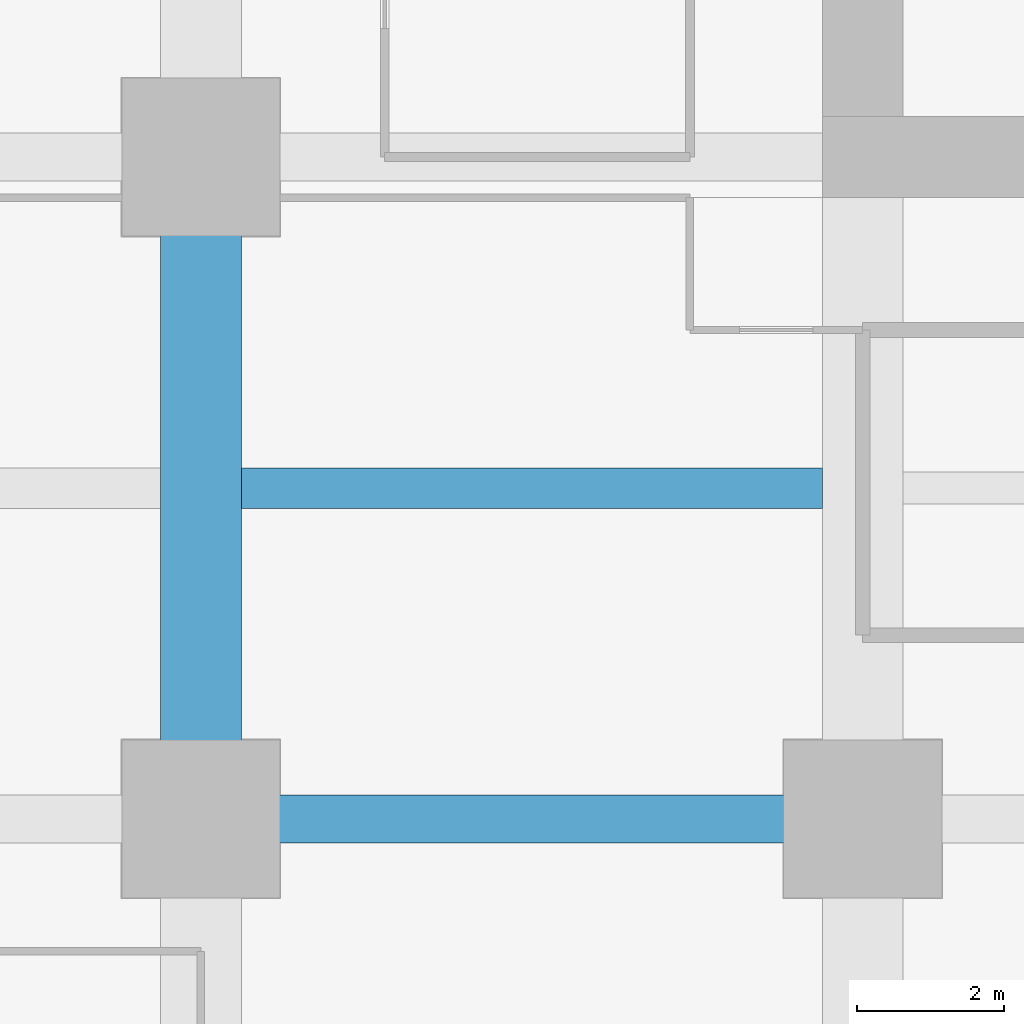
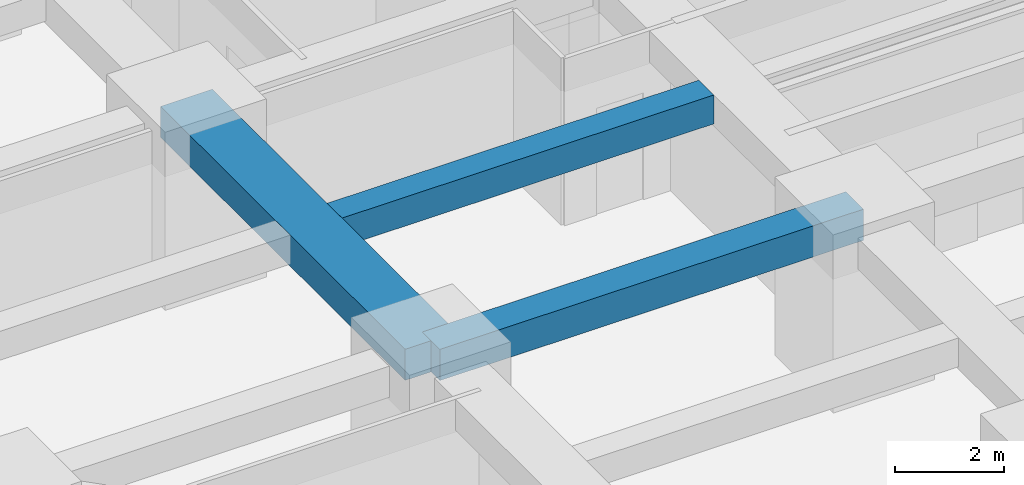
# One storey, part 5 of 41: 3 beams.
"""IFC4 building model written with IfcOpenShell, lengths in metres."""

from ifc_helpers import new_model, si_unit, direction, frame, origin, origin_2d, place, context, subcontext, project, spatial, rectangle, extrude, material, material_profile, profile_set, type_object, element, save


model = new_model("IFC4")

# Units and contexts
model_context = context("Model", 3, precision=1e-05, world=origin(), true_north=direction((0.0, 1.0)))
body_context = subcontext(model_context, "Body", "Model", "MODEL_VIEW")
ifc_project = project(units=[si_unit("LENGTHUNIT", "METRE"), si_unit("AREAUNIT", "SQUARE_METRE"), si_unit("VOLUMEUNIT", "CUBIC_METRE"), si_unit("PLANEANGLEUNIT", "RADIAN"), si_unit("MASSUNIT", "GRAM", prefix="KILO")], contexts=[model_context])

# Site, building, storey
site_placement = place(None, origin())
site = spatial("IfcSite", under=ifc_project, at=site_placement, CompositionType="ELEMENT")
building_placement = place(site_placement, origin())
building = spatial("IfcBuilding", under=site, at=building_placement, Name="Zorevar Civic Tower", CompositionType="ELEMENT")
storey_placement = place(building_placement, frame((0.0, 0.0, 89.0)))
storey = spatial("IfcBuildingStorey", under=building, at=storey_placement, Name="L21", CompositionType="ELEMENT", Elevation=89.0)

# Beams
ifc_material_1 = material(Name="Concrete C50/60", Category="concrete")
ifc_material_profile_1 = material_profile(ifc_material_1, rectangle(XDim=1.10009765625, YDim=0.699951171875, at=origin_2d()), Name="RC 1100x700")
ifc_profile_set_1 = profile_set([ifc_material_profile_1], Name="Concrete C50/60")
beam_type_1 = type_object("IfcBeamType", Name="Beam RC 1100x700", PredefinedType="BEAM", material=ifc_profile_set_1)
beam_1_placement = place(storey_placement, frame((9.0, 9.0, 3.39990234375), z_axis=(0.0, 1.0, 0.0), x_axis=(-1.0, 0.0, 0.0)))
element("IfcBeam", 1, at=beam_1_placement, inside=storey, type_object=beam_type_1, Name="Girder L22", PredefinedType="BEAM", context=body_context, shape_type="SweptSolid", body=[
    extrude(rectangle(XDim=1.10009765625, YDim=0.699951171875, at=origin_2d()), origin(), (0.0, 0.0, 1.0), 9.0),
])
ifc_material_2 = material(Name="Concrete C50/60", Category="concrete")
ifc_material_profile_2 = material_profile(ifc_material_2, rectangle(XDim=0.550048828125, YDim=0.64990234375, at=origin_2d()), Name="RC 550x650")
ifc_profile_set_2 = profile_set([ifc_material_profile_2], Name="Concrete C50/60")
beam_type_2 = type_object("IfcBeamType", Name="Beam RC 550x650", PredefinedType="BEAM", material=ifc_profile_set_2)
beam_2_placement = place(storey_placement, frame((9.550048828125, 13.5, 3.425048828125), z_axis=(1.0, 0.0, 0.0), x_axis=(0.0, 1.0, 0.0)))
element("IfcBeam", 2, at=beam_2_placement, inside=storey, type_object=beam_type_2, Name="Secondary beam L22", PredefinedType="BEAM", context=body_context, shape_type="SweptSolid", body=[
    extrude(rectangle(XDim=0.550048828125, YDim=0.64990234375, at=origin_2d()), origin(), (0.0, 0.0, 1.0), 7.89990234375),
])
ifc_material_3 = material(Name="Concrete C50/60", Category="concrete")
ifc_material_profile_3 = material_profile(ifc_material_3, rectangle(XDim=0.64990234375, YDim=0.699951171875, at=origin_2d()), Name="RC 650x700")
ifc_profile_set_3 = profile_set([ifc_material_profile_3], Name="Concrete C50/60")
beam_type_3 = type_object("IfcBeamType", Name="Beam RC 650x700", PredefinedType="BEAM", material=ifc_profile_set_3)
beam_3_placement = place(storey_placement, frame((9.0, 9.0, 3.39990234375), z_axis=(1.0, 0.0, 0.0), x_axis=(0.0, 1.0, 0.0)))
element("IfcBeam", 3, at=beam_3_placement, inside=storey, type_object=beam_type_3, Name="Girder L22", PredefinedType="BEAM", context=body_context, shape_type="SweptSolid", body=[
    extrude(rectangle(XDim=0.64990234375, YDim=0.699951171875, at=origin_2d()), origin(), (0.0, 0.0, 1.0), 9.0),
])

save(model, "model.ifc")
